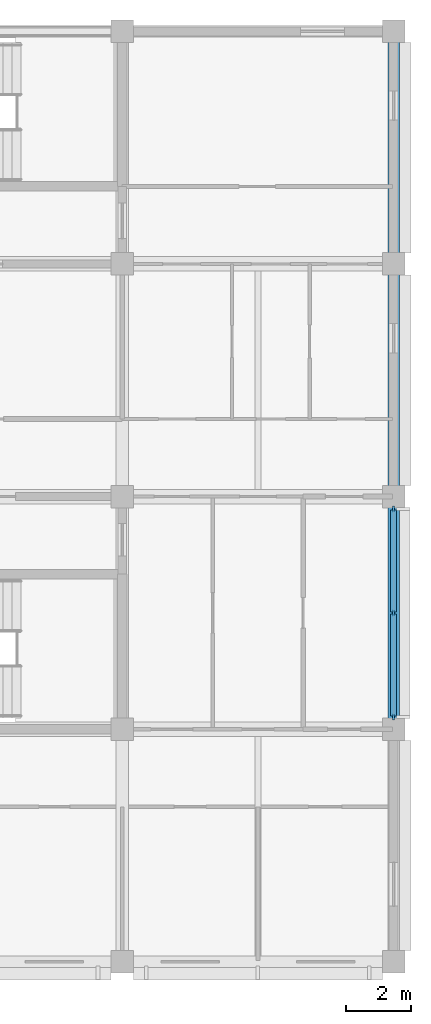
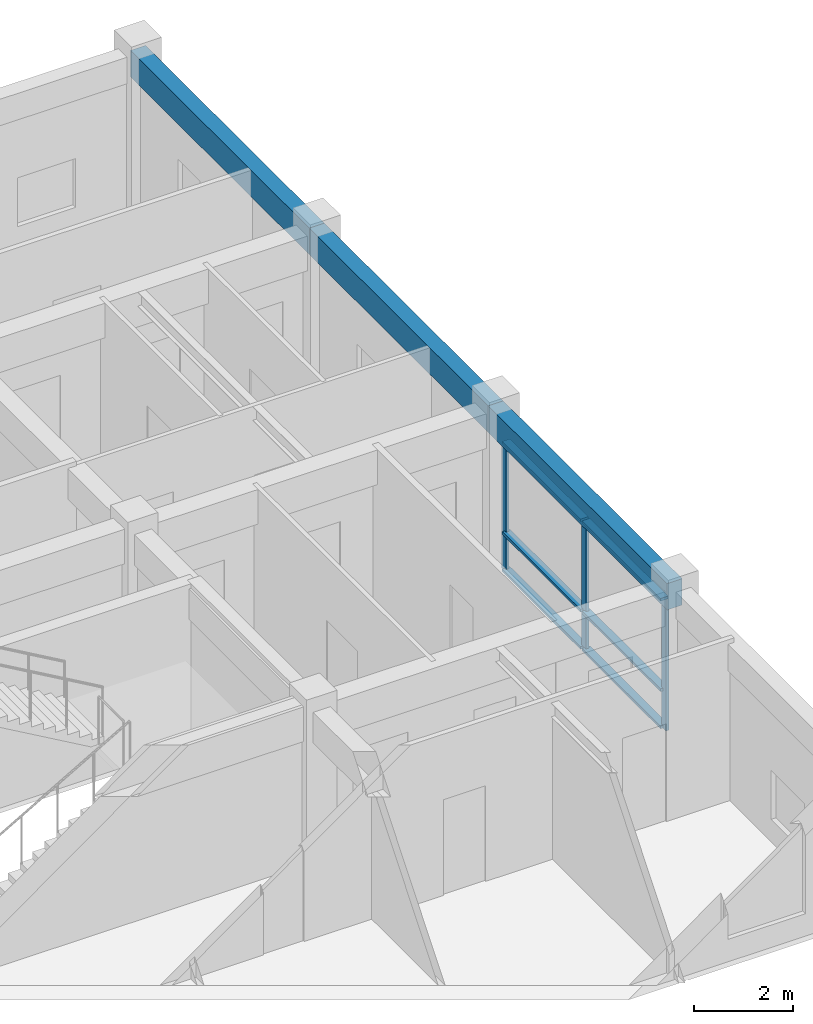
# One storey, part 7 of 19: 9 members, 3 beams, 1 element without a shape of its own.
"""IFC4 building model written with IfcOpenShell, lengths in metres."""

from ifc_helpers import new_model, si_unit, direction, frame, origin, origin_2d, place, context, subcontext, project, spatial, rectangle, extrude, material, layer, layer_set, material_profile, profile_set, type_object, element, aggregate, save


model = new_model("IFC4")

# Units and contexts
model_context = context("Model", 3, precision=1e-05, world=origin(), true_north=direction((0.0, 1.0)))
body_context = subcontext(model_context, "Body", "Model", "MODEL_VIEW")
ifc_project = project(units=[si_unit("LENGTHUNIT", "METRE"), si_unit("AREAUNIT", "SQUARE_METRE"), si_unit("VOLUMEUNIT", "CUBIC_METRE"), si_unit("PLANEANGLEUNIT", "RADIAN"), si_unit("MASSUNIT", "GRAM", prefix="KILO")], contexts=[model_context])

# Site, building, storey
site_placement = place(None, origin())
site = spatial("IfcSite", under=ifc_project, at=site_placement, CompositionType="ELEMENT")
building_placement = place(site_placement, origin())
building = spatial("IfcBuilding", under=site, at=building_placement, Name="Chengyuan Square Courthouse", CompositionType="ELEMENT")
storey_placement = place(building_placement, frame((0.0, 0.0, 56.10009765625)))
storey = spatial("IfcBuildingStorey", under=building, at=storey_placement, Name="L13", CompositionType="ELEMENT", Elevation=56.10009765625)

# Beams
ifc_material_1 = material(Name="Concrete C40", Category="concrete")
ifc_material_profile_1 = material_profile(ifc_material_1, rectangle(XDim=0.35009765625, YDim=0.64990234375, at=origin_2d()), Name="RC-BM-350x650")
ifc_profile_set_1 = profile_set([ifc_material_profile_1], Name="Concrete C40")
beam_type = type_object("IfcBeamType", Name="BM-03", PredefinedType="SPANDREL", material=ifc_profile_set_1)
beam_placement = place(storey_placement, frame((117.60009765625, 86.39990234375, 3.52490234375), z_axis=(0.0, 1.0, 0.0), x_axis=(-1.0, 0.0, 0.0)))
element("IfcBeam", 1, at=beam_placement, inside=storey, type_object=beam_type, Name="Girder BM-L13-4408", PredefinedType="SPANDREL", context=body_context, shape_type="SweptSolid", body=[
    extrude(rectangle(XDim=0.35009765625, YDim=0.64990234375, at=origin_2d()), origin(), (0.0, 0.0, 1.0), 7.2001953125),
])
for number, where, z_axis, x_axis, name in (
    (2, (117.60009765625, 93.60009765625, 3.52490234375), (0.0, 1.0, 0.0), (-1.0, 0.0, 0.0), "Girder BM-L13-4409"),
    (3, (117.60009765625, 100.800048828125, 3.52490234375), (0.0, 1.0, 0.0), (-1.0, 0.0, 0.0), "Girder BM-L13-4410"),
):
    element("IfcBeam", number, at=place(storey_placement, frame(where, z_axis=z_axis, x_axis=x_axis)), inside=storey, type_object=beam_type, Name=name, PredefinedType="SPANDREL", context=body_context, shape_type="SweptSolid", body=[
        extrude(rectangle(XDim=0.35009765625, YDim=0.64990234375, at=origin_2d()), origin(), (0.0, 0.0, 1.0), 7.199951171875),
    ])

# Curtain wall, members
ifc_material_2 = material(Name="Unitised Aluminium and Triple Low-E Glass", Category="aluminium")
ifc_layer = layer(ifc_material_2, 0.179931640625)
ifc_layer_set = layer_set([ifc_layer], Name="Unitised Aluminium and Triple Low-E Glass")
curtain_wall_type = type_object("IfcCurtainWallType", Name="CW-02", PredefinedType="USERDEFINED", material=ifc_layer_set)
curtain_wall_placement = place(storey_placement, origin())
curtain_wall = element("IfcCurtainWall", 4, at=curtain_wall_placement, inside=storey, type_object=curtain_wall_type, Name="Unitised Curtain Wall CW-L13-269", ObjectType="UNITISED CURTAIN WALL", PredefinedType="USERDEFINED")
ifc_material_3 = material(Name="Aluminium 6063-T6 Frame", Category="aluminium")
ifc_material_profile_2 = material_profile(ifc_material_3, rectangle(XDim=0.06494140625, YDim=0.179931640625, at=origin_2d()), Name="CW-MUL-65x180")
ifc_profile_set_2 = profile_set([ifc_material_profile_2], Name="Aluminium 6063-T6 Frame")
member_type_1 = type_object("IfcMemberType", Name="CWM-02", PredefinedType="MULLION", material=ifc_profile_set_2)
member_1_placement = place(storey_placement, frame((117.60009765625, 86.782470703125, 0.0), z_axis=(0.0, 0.0, 1.0), x_axis=(-1.0, 0.0, 0.0)))
member_1 = element("IfcMember", 5, at=member_1_placement, type_object=member_type_1, Name="CW-02 mullion 1", PredefinedType="MULLION", context=body_context, shape_type="SweptSolid", body=[
    extrude(rectangle(XDim=0.06494140625, YDim=0.179931640625, at=origin_2d()), origin(), (0.0, 0.0, 1.0), 3.199951171875),
])
member_2_placement = place(storey_placement, frame((117.60009765625, 90.0, 0.0), z_axis=(0.0, 0.0, 1.0), x_axis=(-1.0, 0.0, 0.0)))
member_2 = element("IfcMember", 6, at=member_2_placement, type_object=member_type_1, Name="CW-02 mullion 2", PredefinedType="MULLION", context=body_context, shape_type="SweptSolid", body=[
    extrude(rectangle(XDim=0.06494140625, YDim=0.179931640625, at=origin_2d()), origin(), (0.0, 0.0, 1.0), 3.199951171875),
])
member_3_placement = place(storey_placement, frame((117.60009765625, 93.217529296875, 0.0), z_axis=(0.0, 0.0, 1.0), x_axis=(-1.0, 0.0, 0.0)))
member_3 = element("IfcMember", 7, at=member_3_placement, type_object=member_type_1, Name="CW-02 mullion 3", PredefinedType="MULLION", context=body_context, shape_type="SweptSolid", body=[
    extrude(rectangle(XDim=0.06494140625, YDim=0.179931640625, at=origin_2d()), origin(), (0.0, 0.0, 1.0), 3.199951171875),
])
ifc_material_profile_3 = material_profile(ifc_material_3, rectangle(XDim=0.179931640625, YDim=0.06494140625, at=origin_2d()), Name="CW-TRN-65x140")
ifc_profile_set_3 = profile_set([ifc_material_profile_3], Name="Aluminium 6063-T6 Frame")
member_type_2 = type_object("IfcMemberType", Name="CWT-02", PredefinedType="USERDEFINED", material=ifc_profile_set_3)
member_4_placement = place(storey_placement, frame((117.60009765625, 86.81494140625, 0.032470703125), z_axis=(0.0, 1.0, 0.0), x_axis=(-1.0, 0.0, 0.0)))
member_4 = element("IfcMember", 8, at=member_4_placement, type_object=member_type_2, Name="CW-02 transom 1.1", ObjectType="TRANSOM", PredefinedType="USERDEFINED", context=body_context, shape_type="SweptSolid", body=[
    extrude(rectangle(XDim=0.179931640625, YDim=0.06494140625, at=origin_2d()), origin(), (0.0, 0.0, 1.0), 3.152587890625),
])
member_5_placement = place(storey_placement, frame((117.60009765625, 86.81494140625, 0.949951171875), z_axis=(0.0, 1.0, 0.0), x_axis=(-1.0, 0.0, 0.0)))
member_5 = element("IfcMember", 9, at=member_5_placement, type_object=member_type_2, Name="CW-02 transom 1.2", ObjectType="TRANSOM", PredefinedType="USERDEFINED", context=body_context, shape_type="SweptSolid", body=[
    extrude(rectangle(XDim=0.179931640625, YDim=0.06494140625, at=origin_2d()), origin(), (0.0, 0.0, 1.0), 3.152587890625),
])
member_6_placement = place(storey_placement, frame((117.60009765625, 86.81494140625, 3.16748046875), z_axis=(0.0, 1.0, 0.0), x_axis=(-1.0, 0.0, 0.0)))
member_6 = element("IfcMember", 10, at=member_6_placement, type_object=member_type_2, Name="CW-02 transom 1.3", ObjectType="TRANSOM", PredefinedType="USERDEFINED", context=body_context, shape_type="SweptSolid", body=[
    extrude(rectangle(XDim=0.179931640625, YDim=0.06494140625, at=origin_2d()), origin(), (0.0, 0.0, 1.0), 3.152587890625),
])
member_7_placement = place(storey_placement, frame((117.60009765625, 90.032470703125, 0.032470703125), z_axis=(0.0, 1.0, 0.0), x_axis=(-1.0, 0.0, 0.0)))
member_7 = element("IfcMember", 11, at=member_7_placement, type_object=member_type_2, Name="CW-02 transom 2.1", ObjectType="TRANSOM", PredefinedType="USERDEFINED", context=body_context, shape_type="SweptSolid", body=[
    extrude(rectangle(XDim=0.179931640625, YDim=0.06494140625, at=origin_2d()), origin(), (0.0, 0.0, 1.0), 3.152587890625),
])
member_8_placement = place(storey_placement, frame((117.60009765625, 90.032470703125, 0.949951171875), z_axis=(0.0, 1.0, 0.0), x_axis=(-1.0, 0.0, 0.0)))
member_8 = element("IfcMember", 12, at=member_8_placement, type_object=member_type_2, Name="CW-02 transom 2.2", ObjectType="TRANSOM", PredefinedType="USERDEFINED", context=body_context, shape_type="SweptSolid", body=[
    extrude(rectangle(XDim=0.179931640625, YDim=0.06494140625, at=origin_2d()), origin(), (0.0, 0.0, 1.0), 3.152587890625),
])
member_9_placement = place(storey_placement, frame((117.60009765625, 90.032470703125, 3.16748046875), z_axis=(0.0, 1.0, 0.0), x_axis=(-1.0, 0.0, 0.0)))
member_9 = element("IfcMember", 13, at=member_9_placement, type_object=member_type_2, Name="CW-02 transom 2.3", ObjectType="TRANSOM", PredefinedType="USERDEFINED", context=body_context, shape_type="SweptSolid", body=[
    extrude(rectangle(XDim=0.179931640625, YDim=0.06494140625, at=origin_2d()), origin(), (0.0, 0.0, 1.0), 3.152587890625),
])
aggregate(curtain_wall, [member_1, member_2, member_3, member_4, member_5, member_6, member_7, member_8, member_9])

save(model, "model.ifc")
